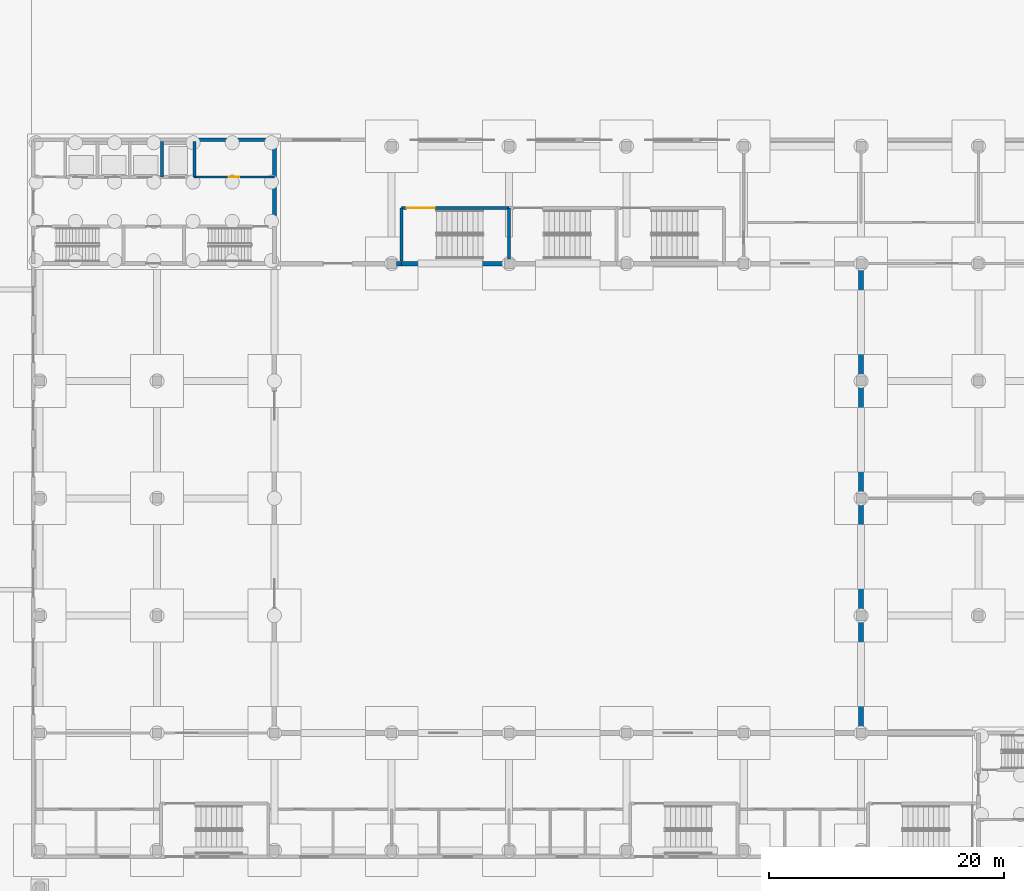
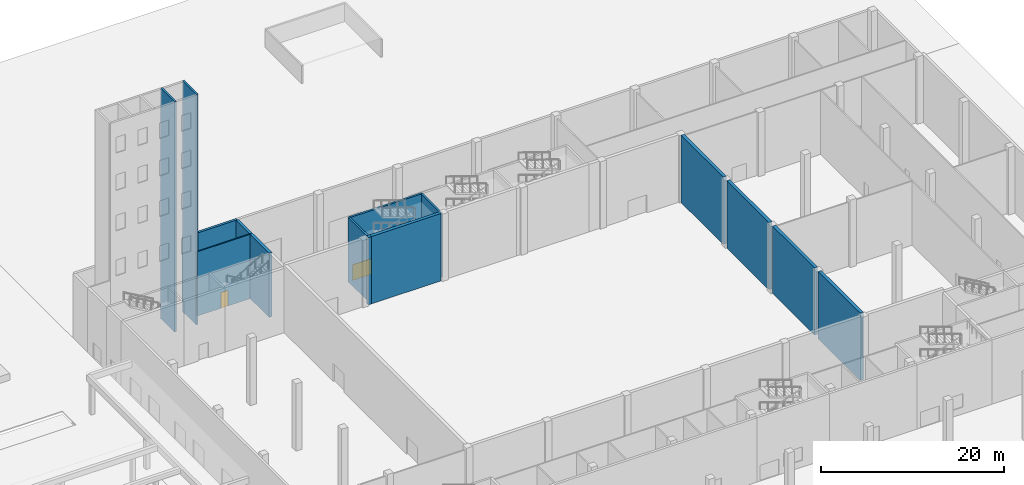
# One storey, part 37 of 63: 14 walls, 2 doors, 2 openings.
"""IFC4 building model written with IfcOpenShell, lengths in metres."""

from ifc_helpers import new_model, si_unit, direction, frame, frame_2d, origin, place, context, subcontext, project, spatial, rectangle, extrude, material, layer, layer_set, type_object, element, fill, save


model = new_model("IFC4")

# Units and contexts
model_context = context("Model", 3, precision=1e-05, world=origin(), true_north=direction((0.0, 1.0)))
body_context = subcontext(model_context, "Body", "Model", "MODEL_VIEW")
ifc_project = project(units=[si_unit("LENGTHUNIT", "METRE"), si_unit("AREAUNIT", "SQUARE_METRE"), si_unit("VOLUMEUNIT", "CUBIC_METRE"), si_unit("PLANEANGLEUNIT", "RADIAN"), si_unit("MASSUNIT", "GRAM", prefix="KILO")], contexts=[model_context])

# Site, building, storey
site_placement = place(None, origin())
site = spatial("IfcSite", under=ifc_project, at=site_placement, CompositionType="ELEMENT")
building_placement = place(site_placement, origin())
building = spatial("IfcBuilding", under=site, at=building_placement, Name="Jabali Bay Hotel Tower and Convention Centre", CompositionType="ELEMENT")
storey_placement = place(building_placement, origin())
storey = spatial("IfcBuildingStorey", under=building, at=storey_placement, Name="L00", CompositionType="ELEMENT", Elevation=0.0)

# Walls
ifc_material_1 = material(Name="Concrete C60", Category="concrete")
ifc_layer_1 = layer(ifc_material_1, 0.35009765625)
ifc_layer_set_1 = layer_set([ifc_layer_1], Name="Concrete C60")
wall_type_1 = type_object("IfcWallType", Name="CC Core Wall 350", PredefinedType="SHEAR", material=ifc_layer_set_1)
wall_1_placement = place(storey_placement, frame((170.699951171875, 103.14990234375, 0.0), z_axis=(0.0, 0.0, 1.0), x_axis=(0.0, 1.0, 0.0)))
element("IfcWall", 1, at=wall_1_placement, inside=storey, type_object=wall_type_1, Name="CC west core wall", PredefinedType="SHEAR", context=body_context, shape_type="SweptSolid", body=[
    extrude(rectangle(XDim=7.25, YDim=0.35009765625, at=frame_2d((3.625, 0.0))), origin(), (0.0, 0.0, 1.0), 8.590087890625),
])
ifc_material_2 = material(Name="Concrete C40", Category="concrete")
ifc_layer_2 = layer(ifc_material_2, 0.300048828125)
ifc_layer_set_2 = layer_set([ifc_layer_2], Name="Concrete C40")
wall_type_2 = type_object("IfcWallType", Name="CC External Wall 300", PredefinedType="SOLIDWALL", material=ifc_layer_set_2)
wall_2_placement = place(storey_placement, frame((163.875, 110.550048828125, 0.0), z_axis=(0.0, 0.0, 1.0), x_axis=(1.0, 0.0, 0.0)))
element("IfcWall", 2, at=wall_2_placement, inside=storey, type_object=wall_type_2, Name="CC wall 153", PredefinedType="SOLIDWALL", context=body_context, shape_type="SweptSolid", body=[
    extrude(rectangle(XDim=6.824951171875, YDim=0.300048828125, at=frame_2d((3.41259765625, 0.0))), origin(), (0.0, 0.0, 1.0), 8.590087890625),
])
ifc_layer_3 = layer(ifc_material_2, 0.39990234375)
ifc_layer_set_3 = layer_set([ifc_layer_3], Name="Concrete C40")
wall_type_3 = type_object("IfcWallType", Name="CC Hall Wall 400", PredefinedType="SHEAR", material=ifc_layer_set_3)
wall_3_placement = place(storey_placement, frame((181.10009765625, 100.0, 0.0), z_axis=(0.0, 0.0, 1.0), x_axis=(1.0, 0.0, 0.0)))
element("IfcWall", 3, at=wall_3_placement, inside=storey, type_object=wall_type_3, Name="CC exhibition hall wall", PredefinedType="SHEAR", context=body_context, shape_type="SweptSolid", body=[
    extrude(rectangle(XDim=0.449951171875, YDim=0.39990234375, at=frame_2d((0.22509765625, 0.0))), origin(), (0.0, 0.0, 1.0), 9.0),
])
wall_4_placement = place(storey_placement, frame((181.550048828125, 100.0, 0.0), z_axis=(0.0, 0.0, 1.0), x_axis=(1.0, 0.0, 0.0)))
element("IfcWall", 4, at=wall_4_placement, inside=storey, type_object=wall_type_3, Name="CC exhibition hall wall", PredefinedType="SHEAR", context=body_context, shape_type="SweptSolid", body=[
    extrude(rectangle(XDim=8.75, YDim=0.39990234375, at=frame_2d((4.375, 0.0))), origin(), (0.0, 0.0, 1.0), 9.0),
])
for number, where, z_axis, x_axis, name in (
    (5, (220.699951171875, 60.39990234375, 0.0), (0.0, 0.0, 1.0), (0.0, 1.0, 0.0), "CC plenary hall wall"),
    (6, (220.699951171875, 70.39990234375, 0.0), (0.0, 0.0, 1.0), (0.0, 1.0, 0.0), "CC plenary hall wall"),
    (7, (220.699951171875, 80.39990234375, 0.0), (0.0, 0.0, 1.0), (0.0, 1.0, 0.0), "CC plenary hall wall"),
    (8, (220.699951171875, 90.39990234375, 0.0), (0.0, 0.0, 1.0), (0.0, 1.0, 0.0), "CC plenary hall wall"),
):
    element("IfcWall", number, at=place(storey_placement, frame(where, z_axis=z_axis, x_axis=x_axis)), inside=storey, type_object=wall_type_3, Name=name, PredefinedType="SHEAR", context=body_context, shape_type="SweptSolid", body=[
        extrude(rectangle(XDim=9.2001953125, YDim=0.39990234375, at=frame_2d((4.60009765625, 0.0))), origin(), (0.0, 0.0, 1.0), 9.0),
    ])

# Wall, opening, door
ifc_material_3 = material(Name="Blockwork M10", Category="masonry")
ifc_layer_4 = layer(ifc_material_3, 0.14990234375)
ifc_layer_set_4 = layer_set([ifc_layer_4], Name="Blockwork M10")
wall_type_4 = type_object("IfcWallType", Name="CC Partition 150", PredefinedType="PARTITIONING", material=ifc_layer_set_4)
wall_5_placement = place(storey_placement, frame((163.875, 107.375, 0.0), z_axis=(0.0, 0.0, 1.0), x_axis=(1.0, 0.0, 0.0)))
wall_5 = element("IfcWall", 9, at=wall_5_placement, inside=storey, type_object=wall_type_4, Name="CC wall 152", PredefinedType="PARTITIONING", context=body_context, shape_type="SweptSolid", body=[
    extrude(rectangle(XDim=6.824951171875, YDim=0.14990234375, at=frame_2d((3.41259765625, 0.0))), origin(), (0.0, 0.0, 1.0), 8.590087890625),
])
opening_1_placement = place(wall_5_placement, frame((2.949951171875, 0.0, 0.0)))
opening_1 = element("IfcOpeningElement", 10, at=opening_1_placement, cuts=wall_5, Name="Opening CC-D136", PredefinedType="OPENING", context=body_context, shape_type="SweptSolid", body=[
    extrude(rectangle(XDim=0.89990234375, YDim=2.10009765625, at=frame_2d((0.449951171875, 1.050048828125))), frame((0.0, 0.08544921875, 0.0), z_axis=(0.0, -1.0, 0.0), x_axis=(1.0, 0.0, 0.0)), (0.0, 0.0, 1.0), 0.1708984375),
])
ifc_material_4 = material(Name="Timber and steel door set", Category="steel")
door_type_1 = type_object("IfcDoorType", Name="CC Riser Door 900x2100", OperationType="NOTDEFINED", PredefinedType="DOOR", material=ifc_material_4)
door_1_placement = place(opening_1_placement, origin())
door_1 = element("IfcDoor", 11, at=door_1_placement, inside=storey, type_object=door_type_1, Name="CC door CC-D136", OperationType="SINGLE_SWING_RIGHT", OverallHeight=2.10009765625, OverallWidth=0.89990234375, PredefinedType="DOOR", context=body_context, shape_type="SweptSolid", body=[
    extrude(rectangle(XDim=0.89990234375, YDim=2.10009765625, at=frame_2d((0.449951171875, 1.050048828125))), frame((0.0, 0.02490234375, 0.0), z_axis=(0.0, -1.0, 0.0), x_axis=(1.0, 0.0, 0.0)), (0.0, 0.0, 1.0), 0.050048828125),
])
fill(opening_1, door_1)

# Walls
ifc_layer_5 = layer(ifc_material_2, 0.25)
ifc_layer_set_5 = layer_set([ifc_layer_5], Name="Concrete C40")
wall_type_5 = type_object("IfcWallType", Name="CC Shaft Wall 250", PredefinedType="SHEAR", material=ifc_layer_set_5)
for number, where, z_axis, x_axis, name in (
    (12, (161.125, 107.375, -1.199951171875), (0.0, 0.0, 1.0), (0.0, 1.0, 0.0), "CC west lift shaft wall"),
    (13, (163.875, 107.375, -1.199951171875), (0.0, 0.0, 1.0), (0.0, 1.0, 0.0), "CC west lift shaft wall"),
):
    element("IfcWall", number, at=place(storey_placement, frame(where, z_axis=z_axis, x_axis=x_axis)), inside=storey, type_object=wall_type_5, Name=name, PredefinedType="SHEAR", context=body_context, shape_type="SweptSolid", body=[
        extrude(rectangle(XDim=3.02490234375, YDim=0.25, at=frame_2d((1.512451171875, 0.0))), origin(), (0.0, 0.0, 1.0), 30.7900390625),
    ])

# Wall, opening, door
wall_6_placement = place(storey_placement, frame((181.550048828125, 104.72509765625, 0.0), z_axis=(0.0, 0.0, 1.0), x_axis=(1.0, 0.0, 0.0)))
wall_6 = element("IfcWall", 14, at=wall_6_placement, inside=storey, type_object=wall_type_5, Name="CC wall 367", PredefinedType="SHEAR", context=body_context, shape_type="SweptSolid", body=[
    extrude(rectangle(XDim=9.14990234375, YDim=0.25, at=frame_2d((4.574951171875, 0.0))), origin(), (0.0, 0.0, 1.0), 8.590087890625),
])
opening_2_placement = place(wall_6_placement, frame((0.425048828125, 0.0, 0.0)))
opening_2 = element("IfcOpeningElement", 15, at=opening_2_placement, cuts=wall_6, Name="Opening CC-D231", PredefinedType="OPENING", context=body_context, shape_type="SweptSolid", body=[
    extrude(rectangle(XDim=2.39990234375, YDim=2.10009765625, at=frame_2d((1.199951171875, 1.050048828125))), frame((0.0, 0.135498046875, 0.0), z_axis=(0.0, -1.0, 0.0), x_axis=(1.0, 0.0, 0.0)), (0.0, 0.0, 1.0), 0.27099609375),
])
door_type_2 = type_object("IfcDoorType", Name="CC Stair Door Pair 2400x2100", OperationType="NOTDEFINED", PredefinedType="DOOR", material=ifc_material_4)
door_2_placement = place(opening_2_placement, origin())
door_2 = element("IfcDoor", 16, at=door_2_placement, inside=storey, type_object=door_type_2, Name="CC door CC-D231", OperationType="DOUBLE_DOOR_SINGLE_SWING", OverallHeight=2.10009765625, OverallWidth=2.39990234375, PredefinedType="DOOR", context=body_context, shape_type="SweptSolid", body=[
    extrude(rectangle(XDim=2.39990234375, YDim=2.10009765625, at=frame_2d((1.199951171875, 1.050048828125))), frame((0.0, 0.02490234375, 0.0), z_axis=(0.0, -1.0, 0.0), x_axis=(1.0, 0.0, 0.0)), (0.0, 0.0, 1.0), 0.050048828125),
])
fill(opening_2, door_2)

# Walls
wall_7_placement = place(storey_placement, frame((181.550048828125, 100.199951171875, 0.0), z_axis=(0.0, 0.0, 1.0), x_axis=(0.0, 1.0, 0.0)))
element("IfcWall", 17, at=wall_7_placement, inside=storey, type_object=wall_type_5, Name="CC wall 368", PredefinedType="SHEAR", context=body_context, shape_type="SweptSolid", body=[
    extrude(rectangle(XDim=4.525146484375, YDim=0.25, at=frame_2d((2.2626953125, 0.0))), origin(), (0.0, 0.0, 1.0), 8.590087890625),
])
wall_8_placement = place(storey_placement, frame((190.699951171875, 100.39990234375, 0.0), z_axis=(0.0, 0.0, 1.0), x_axis=(0.0, 1.0, 0.0)))
element("IfcWall", 18, at=wall_8_placement, inside=storey, type_object=wall_type_5, Name="CC wall 369", PredefinedType="SHEAR", context=body_context, shape_type="SweptSolid", body=[
    extrude(rectangle(XDim=4.3251953125, YDim=0.25, at=frame_2d((2.16259765625, 0.0))), origin(), (0.0, 0.0, 1.0), 8.590087890625),
])

save(model, "model.ifc")
